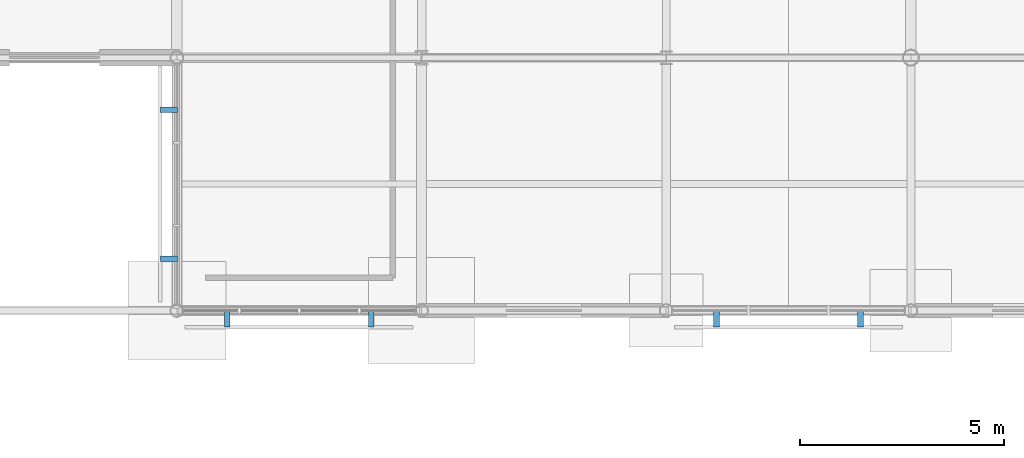
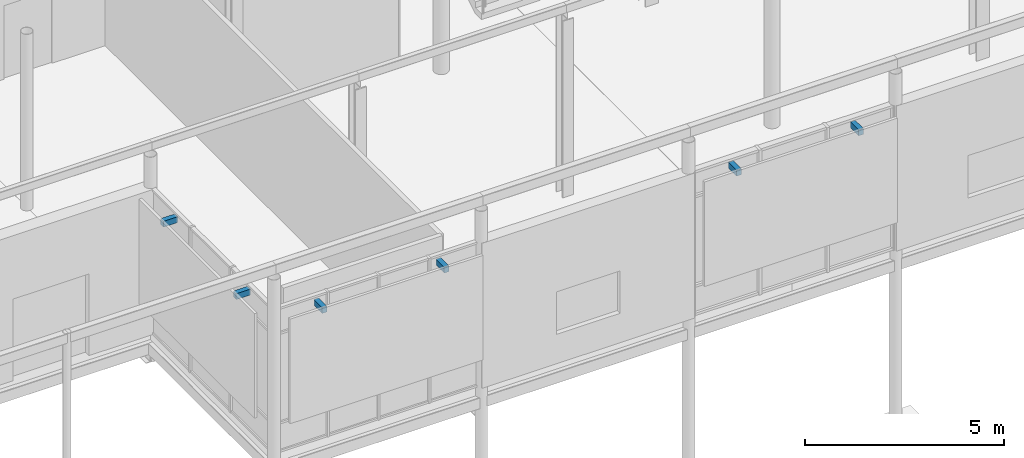
# One storey, part 78 of 98: 6 discrete accessories.
"""IFC4 building model written with IfcOpenShell, lengths in metres."""

from ifc_helpers import new_model, si_unit, direction, frame, origin, origin_2d, place, context, subcontext, project, spatial, rectangle, extrude, material, type_object, element, save


model = new_model("IFC4")

# Units and contexts
model_context = context("Model", 3, precision=1e-05, world=origin(), true_north=direction((0.0, 1.0)))
body_context = subcontext(model_context, "Body", "Model", "MODEL_VIEW")
ifc_project = project(units=[si_unit("LENGTHUNIT", "METRE"), si_unit("AREAUNIT", "SQUARE_METRE"), si_unit("VOLUMEUNIT", "CUBIC_METRE"), si_unit("PLANEANGLEUNIT", "RADIAN"), si_unit("MASSUNIT", "GRAM", prefix="KILO")], contexts=[model_context])

# Site, building, storey
site_placement = place(None, origin())
site = spatial("IfcSite", under=ifc_project, at=site_placement, CompositionType="ELEMENT")
building_placement = place(site_placement, origin())
building = spatial("IfcBuilding", under=site, at=building_placement, Name="Mirzam Square Science Centre", CompositionType="ELEMENT")
storey_placement = place(building_placement, origin())
storey = spatial("IfcBuildingStorey", under=building, at=storey_placement, Name="L00", CompositionType="ELEMENT", Elevation=0.0)

# Discrete accessories
ifc_material = material(Name="Steel S355", Category="steel")
discrete_accessory_type = type_object("IfcDiscreteAccessoryType", Name="BRK-BRISE-STEEL", PredefinedType="BRACKET", material=ifc_material)
for number, where, z_axis, x_axis, name in (
    (1, (103.23291015625, 37.010009765625, 4.10009765625), (0.0, 0.0, 1.0), (1.0, 0.0, 0.0), "L00 brise-soleil support bracket 54"),
    (2, (106.76708984375, 37.010009765625, 4.10009765625), (0.0, 0.0, 1.0), (1.0, 0.0, 0.0), "L00 brise-soleil support bracket 54"),
    (3, (115.23291015625, 37.010009765625, 4.10009765625), (0.0, 0.0, 1.0), (1.0, 0.0, 0.0), "L00 brise-soleil support bracket 55"),
    (4, (118.76708984375, 37.010009765625, 4.10009765625), (0.0, 0.0, 1.0), (1.0, 0.0, 0.0), "L00 brise-soleil support bracket 55"),
    (5, (101.81005859375, 42.126953125, 4.10009765625), (0.0, 0.0, 1.0), (0.0, -1.0, 0.0), "L00 brise-soleil support bracket 62"),
    (6, (101.81005859375, 38.472900390625, 4.10009765625), (0.0, 0.0, 1.0), (0.0, -1.0, 0.0), "L00 brise-soleil support bracket 62"),
):
    element("IfcDiscreteAccessory", number, at=place(storey_placement, frame(where, z_axis=z_axis, x_axis=x_axis)), inside=storey, type_object=discrete_accessory_type, Name=name, PredefinedType="BRACKET", context=body_context, shape_type="SweptSolid", body=[
        extrude(rectangle(XDim=0.139892578125, YDim=0.419921875, at=origin_2d()), origin(), (0.0, 0.0, 1.0), 0.179931640625),
    ])

save(model, "model.ifc")
